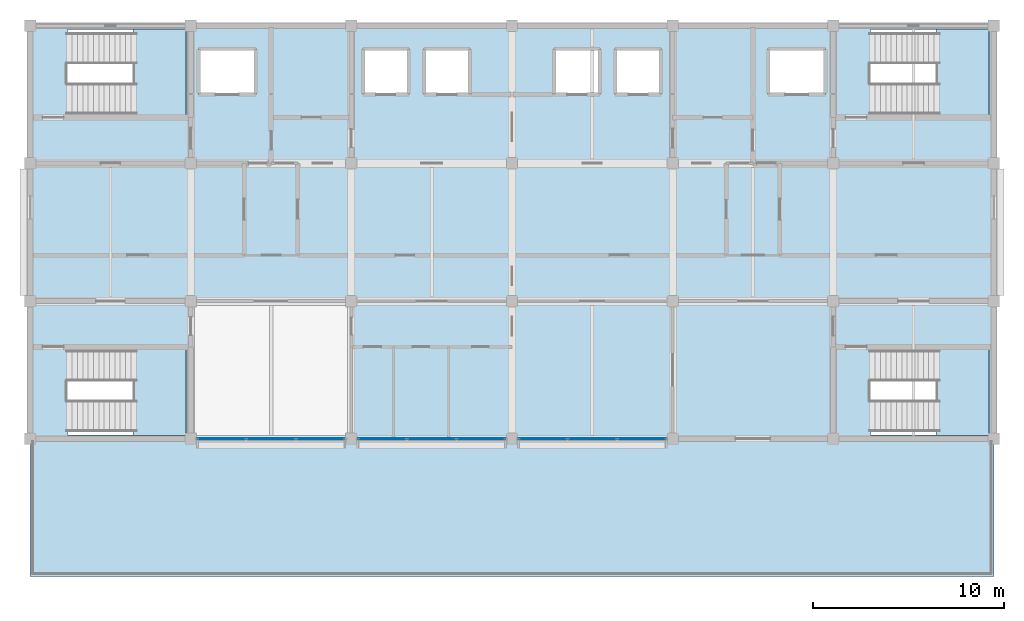
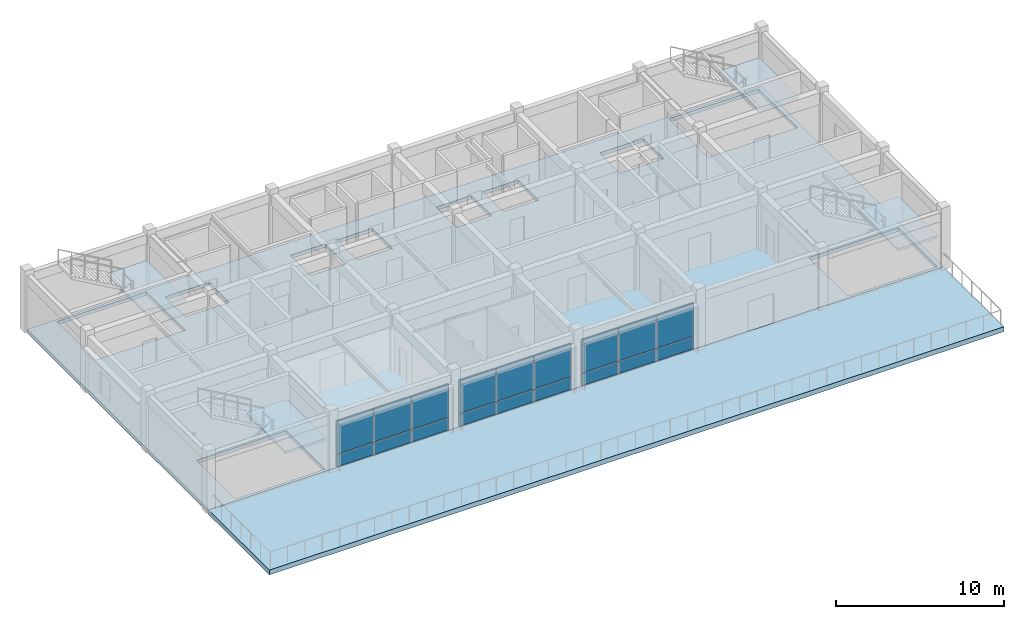
# One storey, part 5 of 11: 18 plates, 6 slabs, 7 elements without a shape of their own.
"""IFC4 building model written with IfcOpenShell, lengths in metres."""

import ifcopenshell
import ifcopenshell.guid

model = None  # the IFC model being written
_history = None  # IfcOwnerHistory: only IFC2X3 demands one
_inside = {}  # id of a spatial element -> (the spatial element, [elements in it])
_under = {}  # id of a project, library or spatial element -> (it, [spatial elements below it])
_declared = {}  # id of a project -> (the project, [libraries it declares])
_typed = {}  # id of a type object -> (the type object, [elements of that type])
_made_of = {}  # id of a material, layer set ... -> (it, [elements and type objects made of it])


def new_model(schema):
    """Start an empty IFC model of exactly this schema.

    Asked for "IFC4X3", IfcOpenShell would pick the latest addendum, in which some entities
    have other attributes; the version numbers below select the first issue.
    IFC2X3 requires an IfcOwnerHistory on every rooted entity: one is made here for all.
    """
    global model, _history
    if schema == "IFC4X3":
        model = ifcopenshell.file(schema_version=(4, 3, 0, 0))
    else:
        model = ifcopenshell.file(schema=schema)
    _inside.clear()
    _under.clear()
    _declared.clear()
    _typed.clear()
    _made_of.clear()
    _history = None
    if model.schema == "IFC2X3":
        org = make("IfcOrganization", Name="unknown")
        user = make(
            "IfcPersonAndOrganization",
            ThePerson=make("IfcPerson", FamilyName="unknown"),
            TheOrganization=org,
        )
        app = make(
            "IfcApplication",
            ApplicationDeveloper=org,
            Version="unknown",
            ApplicationFullName="unknown",
            ApplicationIdentifier="unknown",
        )
        _history = make(
            "IfcOwnerHistory",
            OwningUser=user,
            OwningApplication=app,
            ChangeAction="ADDED",
            CreationDate=0,
        )
    return model


def make(cls, **values):
    """One entity of the class cls with the attributes given. An attribute that is None is left unset."""
    return model.create_entity(
        cls, **{name: value for name, value in values.items() if value is not None}
    )


def rooted(cls, **values):
    """An entity with a GlobalId (a new one), such as an element, a storey or a relation."""
    return make(cls, GlobalId=ifcopenshell.guid.new(), OwnerHistory=_history, **values)


def si_unit(unit_type, name, prefix=None):
    """IfcSIUnit, for example si_unit("LENGTHUNIT", "METRE", prefix="MILLI")."""
    return make("IfcSIUnit", UnitType=unit_type, Prefix=prefix, Name=name)


def assignment(units):
    """IfcUnitAssignment: the units of a project."""
    return None if units is None else make("IfcUnitAssignment", Units=units)


def point(xyz):
    """IfcCartesianPoint."""
    return None if xyz is None else make("IfcCartesianPoint", Coordinates=xyz)


def direction(xyz):
    """IfcDirection."""
    return None if xyz is None else make("IfcDirection", DirectionRatios=xyz)


def frame(location, z_axis=None, x_axis=None):
    """IfcAxis2Placement3D, a coordinate frame: its origin and axes. An axis left out is left unset."""
    return make(
        "IfcAxis2Placement3D",
        Location=point(location),
        Axis=direction(z_axis),
        RefDirection=direction(x_axis),
    )


def frame_2d(location, x_axis=None):
    """IfcAxis2Placement2D, a coordinate frame in the plane: its origin and x axis."""
    return make(
        "IfcAxis2Placement2D", Location=point(location), RefDirection=direction(x_axis)
    )


def origin():
    """The frame at (0, 0, 0) with its axes left unset."""
    return frame((0.0, 0.0, 0.0))


def origin_2d():
    """The frame at (0, 0) in the plane with its x axis left unset."""
    return frame_2d((0.0, 0.0))


def place(relative_to, where):
    """IfcLocalPlacement: puts the frame where relative to a parent placement (None: the world)."""
    return make(
        "IfcLocalPlacement", PlacementRelTo=relative_to, RelativePlacement=where
    )


def context(
    kind, dimensions, precision=None, world=None, true_north=None, identifier=None
):
    """IfcGeometricRepresentationContext, for example the 3D "Model" context."""
    return make(
        "IfcGeometricRepresentationContext",
        ContextIdentifier=identifier,
        ContextType=kind,
        CoordinateSpaceDimension=dimensions,
        Precision=precision,
        WorldCoordinateSystem=world,
        TrueNorth=true_north,
    )


def subcontext(parent, identifier, kind, view, scale=None):
    """IfcGeometricRepresentationSubContext, for example "Body" below "Model"."""
    return make(
        "IfcGeometricRepresentationSubContext",
        ContextIdentifier=identifier,
        ContextType=kind,
        ParentContext=parent,
        TargetScale=scale,
        TargetView=view,
    )


def project(units=None, contexts=None):
    """IfcProject with its units and contexts."""
    return rooted(
        "IfcProject",
        Name="project",
        RepresentationContexts=contexts,
        UnitsInContext=assignment(units),
    )


def spatial(cls, under=None, at=None, **own):
    """A site, building, storey or space (cls), placed at a placement, below another one or the project."""
    s = rooted(cls, ObjectPlacement=at, **own)
    if under is not None:
        _under.setdefault(under.id(), (under, []))[1].append(s)
    return s


def polyline(points):
    """IfcPolyline through the points."""
    return make("IfcPolyline", Points=[point(p) for p in points])


def profile(cls, at=None, kind="AREA", **sizes):
    """A parametric profile (cls). Its sizes go by their IFC names, for example OverallWidth=200.0."""
    return make(cls, ProfileType=kind, Position=at, **sizes)


def rectangle(**sizes):
    """IfcRectangleProfileDef."""
    return profile("IfcRectangleProfileDef", **sizes)


def outline(outer, holes=None, kind="AREA"):
    """IfcArbitraryClosedProfileDef: a profile drawn as a closed curve; with holes, ...WithVoids."""
    if holes is None:
        return make("IfcArbitraryClosedProfileDef", ProfileType=kind, OuterCurve=outer)
    return make(
        "IfcArbitraryProfileDefWithVoids",
        ProfileType=kind,
        OuterCurve=outer,
        InnerCurves=holes,
    )


def extrude(swept, where, along, depth):
    """IfcExtrudedAreaSolid: the profile swept, set in the frame where, extruded along a direction by depth."""
    return make(
        "IfcExtrudedAreaSolid",
        SweptArea=swept,
        Position=where,
        ExtrudedDirection=direction(along),
        Depth=depth,
    )


def shape(context_of_items, identifier, shape_type, items):
    """IfcShapeRepresentation: the items that make up one representation, for example the "Body"."""
    return make(
        "IfcShapeRepresentation",
        ContextOfItems=context_of_items,
        RepresentationIdentifier=identifier,
        RepresentationType=shape_type,
        Items=items,
    )


def material(Name=None, Category=None):
    """IfcMaterial."""
    return make("IfcMaterial", Name=Name, Category=Category)


def layer(
    of_material, thickness, ventilated=None, Name=None, Category=None, Priority=None
):
    """IfcMaterialLayer: one layer of a wall or slab, of a material (None: an air gap)."""
    return make(
        "IfcMaterialLayer",
        Material=of_material,
        LayerThickness=thickness,
        IsVentilated=ventilated,
        Name=Name,
        Category=Category,
        Priority=Priority,
    )


def layer_set(layers, Name=None):
    """IfcMaterialLayerSet."""
    return make("IfcMaterialLayerSet", MaterialLayers=layers, LayerSetName=Name)


def made_of(thing, what):
    """Note that an element or type object is made of a material, layer set ...; save() writes the relation."""
    if what is not None:
        _made_of.setdefault(what.id(), (what, []))[1].append(thing)
    return thing


def type_object(cls, material=None, **own):
    """A type object (cls), such as IfcWallType, which elements share."""
    return made_of(rooted(cls, **own), material)


def element(
    cls,
    number,
    at=None,
    inside=None,
    cuts=None,
    type_object=None,
    material=None,
    context=None,
    identifier="Body",
    shape_type=None,
    held_by="IfcProductDefinitionShape",
    body=None,
    shapes=None,
    **own,
):
    """One element of the class cls, such as IfcWall. Its Tag is "e" and its number.

    at: its placement. inside: the storey or other place that contains it. cuts: it is an
    opening in that element (IfcRelVoidsElement). A single representation is given by context,
    identifier, shape_type and body (its items); several are given by shapes. held_by: the class
    of the entity that holds the representations. save() writes the other relations.
    """
    e = rooted(cls, Tag="e%d" % number, ObjectPlacement=at, **own)
    if body is not None:
        shapes = [shape(context, identifier, shape_type, body)]
    if shapes is not None:
        e.Representation = make(held_by, Representations=shapes)
    if inside is not None:
        _inside.setdefault(inside.id(), (inside, []))[1].append(e)
    if cuts is not None:
        rooted(
            "IfcRelVoidsElement", RelatingBuildingElement=cuts, RelatedOpeningElement=e
        )
    if type_object is not None:
        _typed.setdefault(type_object.id(), (type_object, []))[1].append(e)
    return made_of(e, material)


def aggregate(whole, parts):
    """IfcRelAggregates: a whole, such as a stair, and the parts it consists of."""
    return rooted("IfcRelAggregates", RelatingObject=whole, RelatedObjects=parts)


def save(model, path):
    """Write the relations noted so far, then the file.

    IfcRelAggregates (storeys below a building ...), IfcRelContainedInSpatialStructure (elements
    in a storey), IfcRelDefinesByType, IfcRelAssociatesMaterial and IfcRelDeclares: one each for
    every whole, place, type object, material and project.
    """
    for whole, parts in _under.values():
        aggregate(whole, parts)
    for where, things in _inside.values():
        rooted(
            "IfcRelContainedInSpatialStructure",
            RelatedElements=things,
            RelatingStructure=where,
        )
    for kind, things in _typed.values():
        rooted("IfcRelDefinesByType", RelatedObjects=things, RelatingType=kind)
    for what, things in _made_of.values():
        rooted("IfcRelAssociatesMaterial", RelatedObjects=things, RelatingMaterial=what)
    for by, libraries in _declared.values():
        rooted("IfcRelDeclares", RelatingContext=by, RelatedDefinitions=libraries)
    model.write(path)


model = new_model("IFC4")

# Units and contexts
model_context = context("Model", 3, precision=1e-05, world=origin(), true_north=direction((0.0, 1.0)))
body_context = subcontext(model_context, "Body", "Model", "MODEL_VIEW")
ifc_project = project(units=[si_unit("LENGTHUNIT", "METRE"), si_unit("AREAUNIT", "SQUARE_METRE"), si_unit("VOLUMEUNIT", "CUBIC_METRE"), si_unit("PLANEANGLEUNIT", "RADIAN"), si_unit("MASSUNIT", "GRAM", prefix="KILO")], contexts=[model_context])

# Site, building, storey
site_placement = place(None, origin())
site = spatial("IfcSite", under=ifc_project, at=site_placement, CompositionType="ELEMENT")
building_placement = place(site_placement, origin())
building = spatial("IfcBuilding", under=site, at=building_placement, Name="Chengyuan Square Courthouse", CompositionType="ELEMENT")
storey_placement = place(building_placement, frame((0.0, 0.0, 68.699951171875)))
storey = spatial("IfcBuildingStorey", under=building, at=storey_placement, Name="L16", CompositionType="ELEMENT", Elevation=68.699951171875)

# Curtain wall, plates
ifc_material_1 = material(Name="Unitised Aluminium and Triple Low-E Glass", Category="aluminium")
ifc_layer_1 = layer(ifc_material_1, 0.179931640625)
ifc_layer_set_1 = layer_set([ifc_layer_1], Name="Unitised Aluminium and Triple Low-E Glass")
curtain_wall_type = type_object("IfcCurtainWallType", Name="CW-22", PredefinedType="USERDEFINED", material=ifc_layer_set_1)
curtain_wall_1_placement = place(storey_placement, origin())
curtain_wall_1 = element("IfcCurtainWall", 1, at=curtain_wall_1_placement, inside=storey, type_object=curtain_wall_type, Name="Unitised Curtain Wall CW-L16-282", ObjectType="UNITISED CURTAIN WALL", PredefinedType="USERDEFINED")
ifc_material_2 = material(Name="Triple Low-E Insulating Glass", Category="glass")
ifc_layer_2 = layer(ifc_material_2, 0.052001953125)
ifc_layer_set_2 = layer_set([ifc_layer_2], Name="Triple Low-E Insulating Glass")
plate_type = type_object("IfcPlateType", Name="CWP-04", PredefinedType="CURTAIN_PANEL", material=ifc_layer_set_2)
plate_1_placement = place(storey_placement, frame((68.816162109375, 86.39990234375, 0.06494140625), z_axis=(0.0, 0.0, 1.0), x_axis=(1.0, 0.0, 0.0)))
plate_1 = element("IfcPlate", 2, at=plate_1_placement, type_object=plate_type, Name="CW-22 panel 1.1", PredefinedType="CURTAIN_PANEL", context=body_context, shape_type="SweptSolid", body=[
    extrude(rectangle(XDim=2.50244140625, YDim=0.052001953125, at=origin_2d()), origin(), (0.0, 0.0, 1.0), 0.8525390625),
])
plate_2_placement = place(storey_placement, frame((68.816162109375, 86.39990234375, 0.982421875), z_axis=(0.0, 0.0, 1.0), x_axis=(1.0, 0.0, 0.0)))
plate_2 = element("IfcPlate", 3, at=plate_2_placement, type_object=plate_type, Name="CW-22 panel 1.2", PredefinedType="CURTAIN_PANEL", context=body_context, shape_type="SweptSolid", body=[
    extrude(rectangle(XDim=2.50244140625, YDim=0.052001953125, at=origin_2d()), origin(), (0.0, 0.0, 1.0), 2.422607421875),
])
plate_3_placement = place(storey_placement, frame((71.39990234375, 86.39990234375, 0.06494140625), z_axis=(0.0, 0.0, 1.0), x_axis=(1.0, 0.0, 0.0)))
plate_3 = element("IfcPlate", 4, at=plate_3_placement, type_object=plate_type, Name="CW-22 panel 2.1", PredefinedType="CURTAIN_PANEL", context=body_context, shape_type="SweptSolid", body=[
    extrude(rectangle(XDim=2.534912109375, YDim=0.052001953125, at=origin_2d()), origin(), (0.0, 0.0, 1.0), 0.8525390625),
])
plate_4_placement = place(storey_placement, frame((71.39990234375, 86.39990234375, 0.982421875), z_axis=(0.0, 0.0, 1.0), x_axis=(1.0, 0.0, 0.0)))
plate_4 = element("IfcPlate", 5, at=plate_4_placement, type_object=plate_type, Name="CW-22 panel 2.2", PredefinedType="CURTAIN_PANEL", context=body_context, shape_type="SweptSolid", body=[
    extrude(rectangle(XDim=2.534912109375, YDim=0.052001953125, at=origin_2d()), origin(), (0.0, 0.0, 1.0), 2.422607421875),
])
plate_5_placement = place(storey_placement, frame((73.983642578125, 86.39990234375, 0.06494140625), z_axis=(0.0, 0.0, 1.0), x_axis=(1.0, 0.0, 0.0)))
plate_5 = element("IfcPlate", 6, at=plate_5_placement, type_object=plate_type, Name="CW-22 panel 3.1", PredefinedType="CURTAIN_PANEL", context=body_context, shape_type="SweptSolid", body=[
    extrude(rectangle(XDim=2.50244140625, YDim=0.052001953125, at=origin_2d()), origin(), (0.0, 0.0, 1.0), 0.8525390625),
])
plate_6_placement = place(storey_placement, frame((73.983642578125, 86.39990234375, 0.982421875), z_axis=(0.0, 0.0, 1.0), x_axis=(1.0, 0.0, 0.0)))
plate_6 = element("IfcPlate", 7, at=plate_6_placement, type_object=plate_type, Name="CW-22 panel 3.2", PredefinedType="CURTAIN_PANEL", context=body_context, shape_type="SweptSolid", body=[
    extrude(rectangle(XDim=2.50244140625, YDim=0.052001953125, at=origin_2d()), origin(), (0.0, 0.0, 1.0), 2.422607421875),
])
aggregate(curtain_wall_1, [plate_1, plate_2, plate_3, plate_4, plate_5, plate_6])

curtain_wall_2_placement = place(storey_placement, origin())
curtain_wall_2 = element("IfcCurtainWall", 8, at=curtain_wall_2_placement, inside=storey, type_object=curtain_wall_type, Name="Unitised Curtain Wall CW-L16-283", ObjectType="UNITISED CURTAIN WALL", PredefinedType="USERDEFINED")
plate_7_placement = place(storey_placement, frame((77.21630859375, 86.39990234375, 0.06494140625), z_axis=(0.0, 0.0, 1.0), x_axis=(1.0, 0.0, 0.0)))
plate_7 = element("IfcPlate", 9, at=plate_7_placement, type_object=plate_type, Name="CW-22 panel 1.1", PredefinedType="CURTAIN_PANEL", context=body_context, shape_type="SweptSolid", body=[
    extrude(rectangle(XDim=2.50244140625, YDim=0.052001953125, at=origin_2d()), origin(), (0.0, 0.0, 1.0), 0.8525390625),
])
plate_8_placement = place(storey_placement, frame((77.21630859375, 86.39990234375, 0.982421875), z_axis=(0.0, 0.0, 1.0), x_axis=(1.0, 0.0, 0.0)))
plate_8 = element("IfcPlate", 10, at=plate_8_placement, type_object=plate_type, Name="CW-22 panel 1.2", PredefinedType="CURTAIN_PANEL", context=body_context, shape_type="SweptSolid", body=[
    extrude(rectangle(XDim=2.50244140625, YDim=0.052001953125, at=origin_2d()), origin(), (0.0, 0.0, 1.0), 2.422607421875),
])
plate_9_placement = place(storey_placement, frame((79.800048828125, 86.39990234375, 0.06494140625), z_axis=(0.0, 0.0, 1.0), x_axis=(1.0, 0.0, 0.0)))
plate_9 = element("IfcPlate", 11, at=plate_9_placement, type_object=plate_type, Name="CW-22 panel 2.1", PredefinedType="CURTAIN_PANEL", context=body_context, shape_type="SweptSolid", body=[
    extrude(rectangle(XDim=2.534912109375, YDim=0.052001953125, at=origin_2d()), origin(), (0.0, 0.0, 1.0), 0.8525390625),
])
plate_10_placement = place(storey_placement, frame((79.800048828125, 86.39990234375, 0.982421875), z_axis=(0.0, 0.0, 1.0), x_axis=(1.0, 0.0, 0.0)))
plate_10 = element("IfcPlate", 12, at=plate_10_placement, type_object=plate_type, Name="CW-22 panel 2.2", PredefinedType="CURTAIN_PANEL", context=body_context, shape_type="SweptSolid", body=[
    extrude(rectangle(XDim=2.534912109375, YDim=0.052001953125, at=origin_2d()), origin(), (0.0, 0.0, 1.0), 2.422607421875),
])
plate_11_placement = place(storey_placement, frame((82.3837890625, 86.39990234375, 0.06494140625), z_axis=(0.0, 0.0, 1.0), x_axis=(1.0, 0.0, 0.0)))
plate_11 = element("IfcPlate", 13, at=plate_11_placement, type_object=plate_type, Name="CW-22 panel 3.1", PredefinedType="CURTAIN_PANEL", context=body_context, shape_type="SweptSolid", body=[
    extrude(rectangle(XDim=2.50244140625, YDim=0.052001953125, at=origin_2d()), origin(), (0.0, 0.0, 1.0), 0.8525390625),
])
plate_12_placement = place(storey_placement, frame((82.3837890625, 86.39990234375, 0.982421875), z_axis=(0.0, 0.0, 1.0), x_axis=(1.0, 0.0, 0.0)))
plate_12 = element("IfcPlate", 14, at=plate_12_placement, type_object=plate_type, Name="CW-22 panel 3.2", PredefinedType="CURTAIN_PANEL", context=body_context, shape_type="SweptSolid", body=[
    extrude(rectangle(XDim=2.50244140625, YDim=0.052001953125, at=origin_2d()), origin(), (0.0, 0.0, 1.0), 2.422607421875),
])
aggregate(curtain_wall_2, [plate_7, plate_8, plate_9, plate_10, plate_11, plate_12])

curtain_wall_3_placement = place(storey_placement, origin())
curtain_wall_3 = element("IfcCurtainWall", 15, at=curtain_wall_3_placement, inside=storey, type_object=curtain_wall_type, Name="Unitised Curtain Wall CW-L16-284", ObjectType="UNITISED CURTAIN WALL", PredefinedType="USERDEFINED")
plate_13_placement = place(storey_placement, frame((85.6162109375, 86.39990234375, 0.06494140625), z_axis=(0.0, 0.0, 1.0), x_axis=(1.0, 0.0, 0.0)))
plate_13 = element("IfcPlate", 16, at=plate_13_placement, type_object=plate_type, Name="CW-22 panel 1.1", PredefinedType="CURTAIN_PANEL", context=body_context, shape_type="SweptSolid", body=[
    extrude(rectangle(XDim=2.50244140625, YDim=0.052001953125, at=origin_2d()), origin(), (0.0, 0.0, 1.0), 0.8525390625),
])
plate_14_placement = place(storey_placement, frame((85.6162109375, 86.39990234375, 0.982421875), z_axis=(0.0, 0.0, 1.0), x_axis=(1.0, 0.0, 0.0)))
plate_14 = element("IfcPlate", 17, at=plate_14_placement, type_object=plate_type, Name="CW-22 panel 1.2", PredefinedType="CURTAIN_PANEL", context=body_context, shape_type="SweptSolid", body=[
    extrude(rectangle(XDim=2.50244140625, YDim=0.052001953125, at=origin_2d()), origin(), (0.0, 0.0, 1.0), 2.422607421875),
])
plate_15_placement = place(storey_placement, frame((88.199951171875, 86.39990234375, 0.06494140625), z_axis=(0.0, 0.0, 1.0), x_axis=(1.0, 0.0, 0.0)))
plate_15 = element("IfcPlate", 18, at=plate_15_placement, type_object=plate_type, Name="CW-22 panel 2.1", PredefinedType="CURTAIN_PANEL", context=body_context, shape_type="SweptSolid", body=[
    extrude(rectangle(XDim=2.534912109375, YDim=0.052001953125, at=origin_2d()), origin(), (0.0, 0.0, 1.0), 0.8525390625),
])
plate_16_placement = place(storey_placement, frame((88.199951171875, 86.39990234375, 0.982421875), z_axis=(0.0, 0.0, 1.0), x_axis=(1.0, 0.0, 0.0)))
plate_16 = element("IfcPlate", 19, at=plate_16_placement, type_object=plate_type, Name="CW-22 panel 2.2", PredefinedType="CURTAIN_PANEL", context=body_context, shape_type="SweptSolid", body=[
    extrude(rectangle(XDim=2.534912109375, YDim=0.052001953125, at=origin_2d()), origin(), (0.0, 0.0, 1.0), 2.422607421875),
])
plate_17_placement = place(storey_placement, frame((90.78369140625, 86.39990234375, 0.06494140625), z_axis=(0.0, 0.0, 1.0), x_axis=(1.0, 0.0, 0.0)))
plate_17 = element("IfcPlate", 20, at=plate_17_placement, type_object=plate_type, Name="CW-22 panel 3.1", PredefinedType="CURTAIN_PANEL", context=body_context, shape_type="SweptSolid", body=[
    extrude(rectangle(XDim=2.50244140625, YDim=0.052001953125, at=origin_2d()), origin(), (0.0, 0.0, 1.0), 0.8525390625),
])
plate_18_placement = place(storey_placement, frame((90.78369140625, 86.39990234375, 0.982421875), z_axis=(0.0, 0.0, 1.0), x_axis=(1.0, 0.0, 0.0)))
plate_18 = element("IfcPlate", 21, at=plate_18_placement, type_object=plate_type, Name="CW-22 panel 3.2", PredefinedType="CURTAIN_PANEL", context=body_context, shape_type="SweptSolid", body=[
    extrude(rectangle(XDim=2.50244140625, YDim=0.052001953125, at=origin_2d()), origin(), (0.0, 0.0, 1.0), 2.422607421875),
])
aggregate(curtain_wall_3, [plate_13, plate_14, plate_15, plate_16, plate_17, plate_18])

# Stair, slab
ifc_material_3 = material(Name="Concrete C40", Category="concrete")
stair_type_1 = type_object("IfcStairType", Name="ST-TYPE-01", PredefinedType="HALF_TURN_STAIR", material=ifc_material_3)
stair_1_placement = place(storey_placement, origin())
stair_1 = element("IfcStair", 22, at=stair_1_placement, inside=storey, type_object=stair_type_1, Name="Smoke-Proof Exit Stair ST-1 (L16 to RF)", PredefinedType="HALF_TURN_STAIR")
ifc_layer_3 = layer(ifc_material_3, 0.179931640625)
ifc_layer_set_3 = layer_set([ifc_layer_3], Name="Concrete C40")
slab_type_1 = type_object("IfcSlabType", Name="SL-LND2", PredefinedType="LANDING", material=ifc_layer_set_3)
slab_1_placement = place(storey_placement, frame((0.0, 0.0, 2.070068359375)))
slab_1 = element("IfcSlab", 23, at=slab_1_placement, type_object=slab_type_1, Name="ST-1 landing 1", PredefinedType="LANDING", context=body_context, shape_type="SweptSolid", body=[
    extrude(outline(polyline([(64.169921875, 103.159912109375), (66.93994140625, 103.159912109375), (66.93994140625, 107.840087890625), (64.169921875, 107.840087890625), (64.169921875, 103.159912109375)])), origin(), (0.0, 0.0, 1.0), 0.179931640625),
])
aggregate(stair_1, [slab_1])

stair_type_2 = type_object("IfcStairType", Name="ST-TYPE-02", PredefinedType="HALF_TURN_STAIR", material=ifc_material_3)
stair_2_placement = place(storey_placement, origin())
stair_2 = element("IfcStair", 24, at=stair_2_placement, inside=storey, type_object=stair_type_2, Name="Smoke-Proof Exit Stair ST-2 (L16 to RF)", PredefinedType="HALF_TURN_STAIR")
slab_2_placement = place(storey_placement, frame((0.0, 0.0, 2.070068359375)))
slab_2 = element("IfcSlab", 25, at=slab_2_placement, type_object=slab_type_1, Name="ST-2 landing 1", PredefinedType="LANDING", context=body_context, shape_type="SweptSolid", body=[
    extrude(outline(polyline([(106.169921875, 103.159912109375), (108.93994140625, 103.159912109375), (108.93994140625, 107.840087890625), (106.169921875, 107.840087890625), (106.169921875, 103.159912109375)])), origin(), (0.0, 0.0, 1.0), 0.179931640625),
])
aggregate(stair_2, [slab_2])

stair_type_3 = type_object("IfcStairType", Name="ST-TYPE-03", PredefinedType="HALF_TURN_STAIR", material=ifc_material_3)
stair_3_placement = place(storey_placement, origin())
stair_3 = element("IfcStair", 26, at=stair_3_placement, inside=storey, type_object=stair_type_3, Name="Smoke-Proof Exit Stair ST-3 (L16 to RF)", PredefinedType="HALF_TURN_STAIR")
slab_3_placement = place(storey_placement, frame((0.0, 0.0, 2.070068359375)))
slab_3 = element("IfcSlab", 27, at=slab_3_placement, type_object=slab_type_1, Name="ST-3 landing 1", PredefinedType="LANDING", context=body_context, shape_type="SweptSolid", body=[
    extrude(outline(polyline([(64.169921875, 86.56005859375), (66.93994140625, 86.56005859375), (66.93994140625, 91.239990234375), (64.169921875, 91.239990234375), (64.169921875, 86.56005859375)])), origin(), (0.0, 0.0, 1.0), 0.179931640625),
])
aggregate(stair_3, [slab_3])

stair_type_4 = type_object("IfcStairType", Name="ST-TYPE-04", PredefinedType="HALF_TURN_STAIR", material=ifc_material_3)
stair_4_placement = place(storey_placement, origin())
stair_4 = element("IfcStair", 28, at=stair_4_placement, inside=storey, type_object=stair_type_4, Name="Smoke-Proof Exit Stair ST-4 (L16 to RF)", PredefinedType="HALF_TURN_STAIR")
slab_4_placement = place(storey_placement, frame((0.0, 0.0, 2.070068359375)))
slab_4 = element("IfcSlab", 29, at=slab_4_placement, type_object=slab_type_1, Name="ST-4 landing 1", PredefinedType="LANDING", context=body_context, shape_type="SweptSolid", body=[
    extrude(outline(polyline([(106.169921875, 86.56005859375), (108.93994140625, 86.56005859375), (108.93994140625, 91.239990234375), (106.169921875, 91.239990234375), (106.169921875, 86.56005859375)])), origin(), (0.0, 0.0, 1.0), 0.179931640625),
])
aggregate(stair_4, [slab_4])

# Slabs
ifc_layer_4 = layer(ifc_material_3, 0.25)
ifc_layer_set_4 = layer_set([ifc_layer_4], Name="Concrete C40")
slab_type_2 = type_object("IfcSlabType", Name="SL-RC25", PredefinedType="FLOOR", material=ifc_layer_set_4)
slab_5_placement = place(storey_placement, frame((0.0, 0.0, -0.25)))
element("IfcSlab", 30, at=slab_5_placement, inside=storey, type_object=slab_type_2, Name="Suspended Floor Slab SL-L16-01", PredefinedType="FLOOR", context=body_context, shape_type="SweptSolid", body=[
    extrude(outline(polyline([(75.60009765625, 108.0), (84.0, 108.0), (92.39990234375, 108.0), (100.800048828125, 108.0), (109.199951171875, 108.0), (109.199951171875, 100.800048828125), (109.199951171875, 93.60009765625), (109.199951171875, 86.39990234375), (100.800048828125, 86.39990234375), (92.39990234375, 86.39990234375), (84.0, 86.39990234375), (75.60009765625, 86.39990234375), (67.199951171875, 86.39990234375), (58.800048828125, 86.39990234375), (58.800048828125, 93.60009765625), (58.800048828125, 100.800048828125), (58.800048828125, 108.0), (67.199951171875, 108.0), (75.60009765625, 108.0)]), holes=[polyline([(60.75, 86.60009765625), (66.89990234375, 86.60009765625), (66.89990234375, 91.199951171875), (60.75, 91.199951171875), (60.75, 86.60009765625)]), polyline([(102.75, 86.60009765625), (108.89990234375, 86.60009765625), (108.89990234375, 91.199951171875), (102.75, 91.199951171875), (102.75, 86.60009765625)]), polyline([(60.75, 103.199951171875), (66.89990234375, 103.199951171875), (66.89990234375, 107.800048828125), (60.75, 107.800048828125), (60.75, 103.199951171875)]), polyline([(102.75, 107.800048828125), (102.75, 103.199951171875), (108.89990234375, 103.199951171875), (108.89990234375, 107.800048828125), (102.75, 107.800048828125)]), polyline([(67.60009765625, 106.800048828125), (67.60009765625, 104.39990234375), (70.60009765625, 104.39990234375), (70.60009765625, 106.800048828125), (67.60009765625, 106.800048828125)]), polyline([(76.199951171875, 104.39990234375), (78.60009765625, 104.39990234375), (78.60009765625, 106.800048828125), (76.199951171875, 106.800048828125), (76.199951171875, 104.39990234375)]), polyline([(79.39990234375, 104.39990234375), (81.800048828125, 104.39990234375), (81.800048828125, 106.800048828125), (79.39990234375, 106.800048828125), (79.39990234375, 104.39990234375)]), polyline([(86.199951171875, 104.39990234375), (88.60009765625, 104.39990234375), (88.60009765625, 106.800048828125), (86.199951171875, 106.800048828125), (86.199951171875, 104.39990234375)]), polyline([(89.39990234375, 106.800048828125), (89.39990234375, 104.39990234375), (91.800048828125, 104.39990234375), (91.800048828125, 106.800048828125), (89.39990234375, 106.800048828125)]), polyline([(97.39990234375, 106.800048828125), (97.39990234375, 104.39990234375), (100.39990234375, 104.39990234375), (100.39990234375, 106.800048828125), (97.39990234375, 106.800048828125)])]), origin(), (0.0, 0.0, 1.0), 0.25),
])
ifc_layer_5 = layer(ifc_material_3, 0.35009765625)
ifc_layer_set_5 = layer_set([ifc_layer_5], Name="Concrete C40")
slab_type_3 = type_object("IfcSlabType", Name="SL-TER", PredefinedType="ROOF", material=ifc_layer_set_5)
slab_6_placement = place(storey_placement, frame((0.0, 0.0, -0.349853515625)))
element("IfcSlab", 31, at=slab_6_placement, inside=storey, type_object=slab_type_3, Name="South Plenary Roof Terrace", PredefinedType="ROOF", context=body_context, shape_type="SweptSolid", body=[
    extrude(outline(polyline([(58.800048828125, 86.39990234375), (67.199951171875, 86.39990234375), (75.60009765625, 86.39990234375), (84.0, 86.39990234375), (92.39990234375, 86.39990234375), (100.800048828125, 86.39990234375), (109.199951171875, 86.39990234375), (109.199951171875, 79.199951171875), (100.800048828125, 79.199951171875), (92.39990234375, 79.199951171875), (84.0, 79.199951171875), (75.60009765625, 79.199951171875), (67.199951171875, 79.199951171875), (58.800048828125, 79.199951171875), (58.800048828125, 86.39990234375)])), origin(), (0.0, 0.0, 1.0), 0.349853515625),
])

save(model, "model.ifc")
